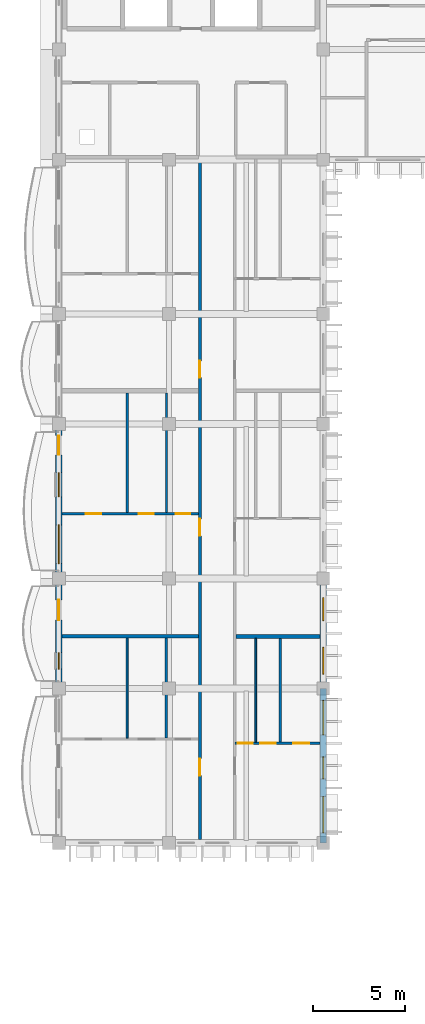
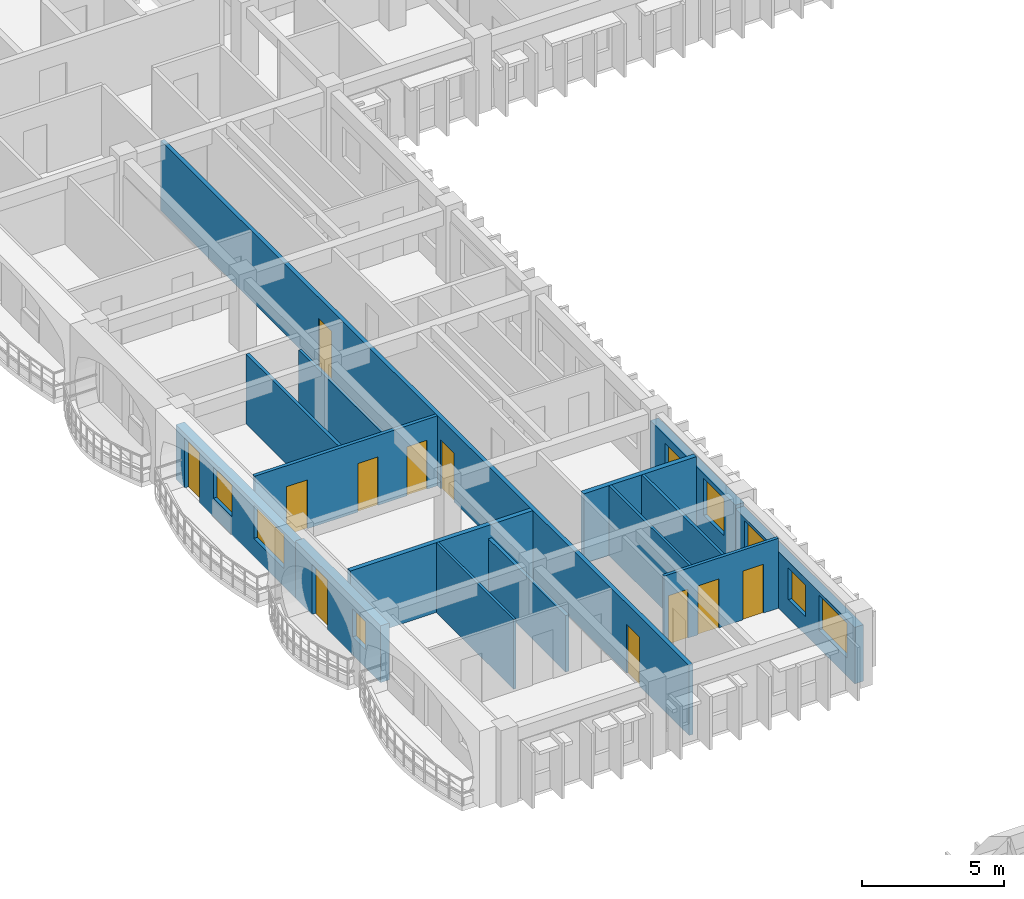
# One storey, part 21 of 70: 15 walls, 11 doors, 8 windows, 19 openings.
"""IFC4 building model written with IfcOpenShell, lengths in metres."""

from ifc_helpers import new_model, si_unit, direction, frame, frame_2d, origin, place, context, subcontext, project, spatial, rectangle, extrude, material, layer, layer_set, type_object, element, fill, save


model = new_model("IFC4")

# Units and contexts
model_context = context("Model", 3, precision=1e-05, world=origin(), true_north=direction((0.0, 1.0)))
body_context = subcontext(model_context, "Body", "Model", "MODEL_VIEW")
ifc_project = project(units=[si_unit("LENGTHUNIT", "METRE"), si_unit("AREAUNIT", "SQUARE_METRE"), si_unit("VOLUMEUNIT", "CUBIC_METRE"), si_unit("PLANEANGLEUNIT", "RADIAN"), si_unit("MASSUNIT", "GRAM", prefix="KILO"), si_unit("THERMODYNAMICTEMPERATUREUNIT", "KELVIN")], contexts=[model_context])

# Site, building, storey
site_placement = place(None, origin())
site = spatial("IfcSite", under=ifc_project, at=site_placement, CompositionType="ELEMENT")
building_placement = place(site_placement, origin())
building = spatial("IfcBuilding", under=site, at=building_placement, Name="Thalorik Housing Commons", CompositionType="ELEMENT")
storey_placement = place(building_placement, frame((0.0, 0.0, 14.699951171875)))
storey = spatial("IfcBuildingStorey", under=building, at=storey_placement, Name="L04", CompositionType="ELEMENT", Elevation=14.699951171875)

# Wall, openings, doors
ifc_material_1 = material(Name="Masonry fire-rated corridor wall", Category="masonry")
ifc_layer_1 = layer(ifc_material_1, 0.1650390625, Name="Masonry fire-rated corridor wall", Category="masonry")
ifc_layer_set_1 = layer_set([ifc_layer_1], Name="Masonry fire-rated corridor wall")
wall_type_1 = type_object("IfcWallType", Name="ARC-WAL-CORR-165", PredefinedType="PARTITIONING", material=ifc_layer_set_1)
wall_1_placement = place(storey_placement, frame((16.080078125, 72.177001953125, 0.0), z_axis=(0.0, 0.0, 1.0), x_axis=(0.0, 1.0, 0.0)))
wall_1 = element("IfcWall", 1, at=wall_1_placement, inside=storey, type_object=wall_type_1, Name="L04 Block A W Corridor Wall 1", PredefinedType="PARTITIONING", context=body_context, shape_type="SweptSolid", body=[
    extrude(rectangle(XDim=37.1630859375, YDim=0.1650390625, at=frame_2d((18.58154296875, 0.0))), origin(), (0.0, 0.0, 1.0), 3.0),
])
opening_1_placement = place(wall_1_placement, frame((3.488525390625, 0.0, 0.0)))
opening_1 = element("IfcOpeningElement", 2, at=opening_1_placement, cuts=wall_1, Name="Opening ID-0591", PredefinedType="OPENING", context=body_context, shape_type="SweptSolid", body=[
    extrude(rectangle(XDim=0.919921875, YDim=2.10009765625, at=frame_2d((0.4599609375, 1.050048828125))), frame((0.0, 0.092529296875, 0.0), z_axis=(0.0, -1.0, 0.0), x_axis=(1.0, 0.0, 0.0)), (0.0, 0.0, 1.0), 0.18505859375),
])
opening_2_placement = place(wall_1_placement, frame((16.54296875, 0.0, 0.0)))
opening_2 = element("IfcOpeningElement", 3, at=opening_2_placement, cuts=wall_1, Name="Opening ID-0592", PredefinedType="OPENING", context=body_context, shape_type="SweptSolid", body=[
    extrude(rectangle(XDim=0.919921875, YDim=2.10009765625, at=frame_2d((0.4599609375, 1.050048828125))), frame((0.0, 0.092529296875, 0.0), z_axis=(0.0, -1.0, 0.0), x_axis=(1.0, 0.0, 0.0)), (0.0, 0.0, 1.0), 0.18505859375),
])
opening_3_placement = place(wall_1_placement, frame((25.15234375, 0.0, 0.0)))
opening_3 = element("IfcOpeningElement", 4, at=opening_3_placement, cuts=wall_1, Name="Opening ID-0593", PredefinedType="OPENING", context=body_context, shape_type="SweptSolid", body=[
    extrude(rectangle(XDim=0.919921875, YDim=2.10009765625, at=frame_2d((0.4599609375, 1.050048828125))), frame((0.0, 0.092529296875, 0.0), z_axis=(0.0, -1.0, 0.0), x_axis=(1.0, 0.0, 0.0)), (0.0, 0.0, 1.0), 0.18505859375),
])
ifc_material_2 = material(Name="Solid core hardwood timber", Category="wood")
door_type_1 = type_object("IfcDoorType", Name="ARC-DR-FD30-920", OperationType="NOTDEFINED", PredefinedType="DOOR", material=ifc_material_2)
door_1_placement = place(opening_1_placement, origin())
door_1 = element("IfcDoor", 5, at=door_1_placement, inside=storey, type_object=door_type_1, Name="L04 Flat AW-1A Entrance Door", OperationType="SINGLE_SWING_RIGHT", OverallHeight=2.10009765625, OverallWidth=0.919921875, PredefinedType="DOOR", context=body_context, shape_type="SweptSolid", body=[
    extrude(rectangle(XDim=0.919921875, YDim=2.10009765625, at=frame_2d((0.4599609375, 1.050048828125))), frame((0.0, 0.02490234375, 0.0), z_axis=(0.0, -1.0, 0.0), x_axis=(1.0, 0.0, 0.0)), (0.0, 0.0, 1.0), 0.050048828125),
])
fill(opening_1, door_1)
door_2_placement = place(opening_2_placement, origin())
door_2 = element("IfcDoor", 6, at=door_2_placement, inside=storey, type_object=door_type_1, Name="L04 Flat AW-2A Entrance Door", OperationType="SINGLE_SWING_LEFT", OverallHeight=2.10009765625, OverallWidth=0.919921875, PredefinedType="DOOR", context=body_context, shape_type="SweptSolid", body=[
    extrude(rectangle(XDim=0.919921875, YDim=2.10009765625, at=frame_2d((0.4599609375, 1.050048828125))), frame((0.0, 0.02490234375, 0.0), z_axis=(0.0, -1.0, 0.0), x_axis=(1.0, 0.0, 0.0)), (0.0, 0.0, 1.0), 0.050048828125),
])
fill(opening_2, door_2)
door_3_placement = place(opening_3_placement, origin())
door_3 = element("IfcDoor", 7, at=door_3_placement, inside=storey, type_object=door_type_1, Name="L04 Flat AW-3A Entrance Door", OperationType="SINGLE_SWING_RIGHT", OverallHeight=2.10009765625, OverallWidth=0.919921875, PredefinedType="DOOR", context=body_context, shape_type="SweptSolid", body=[
    extrude(rectangle(XDim=0.919921875, YDim=2.10009765625, at=frame_2d((0.4599609375, 1.050048828125))), frame((0.0, 0.02490234375, 0.0), z_axis=(0.0, -1.0, 0.0), x_axis=(1.0, 0.0, 0.0)), (0.0, 0.0, 1.0), 0.050048828125),
])
fill(opening_3, door_3)

# Wall, openings, door, windows
ifc_material_3 = material(Name="White precast concrete C40/50", Category="concrete")
ifc_layer_2 = layer(ifc_material_3, 0.35009765625, Name="White precast concrete C40/50", Category="concrete")
ifc_layer_set_2 = layer_set([ifc_layer_2], Name="White precast concrete C40/50")
wall_type_2 = type_object("IfcWallType", Name="ARC-WAL-EXT-350", PredefinedType="STANDARD", material=ifc_layer_set_2)
wall_2_placement = place(storey_placement, frame((8.39990234375, 94.800048828125, 0.0), z_axis=(0.0, 0.0, 1.0), x_axis=(0.0, -1.0, 0.0)))
wall_2 = element("IfcWall", 8, at=wall_2_placement, inside=storey, type_object=wall_type_2, Name="L04 Exterior Wall WAL-EXT-L04-A-0131", PredefinedType="STANDARD", context=body_context, shape_type="SweptSolid", body=[
    extrude(rectangle(XDim=8.400146484375, YDim=0.35009765625, at=frame_2d((4.2001953125, 0.0))), origin(), (0.0, 0.0, 1.0), 2.344970703125),
])
opening_4_placement = place(wall_2_placement, frame((0.6201171875, 0.0, 0.0)))
opening_4 = element("IfcOpeningElement", 9, at=opening_4_placement, cuts=wall_2, Name="Opening ED-0037", PredefinedType="OPENING", context=body_context, shape_type="SweptSolid", body=[
    extrude(rectangle(XDim=1.050048828125, YDim=2.14990234375, at=frame_2d((0.52490234375, 1.074951171875))), frame((0.0, 0.18505859375, 0.0), z_axis=(0.0, -1.0, 0.0), x_axis=(1.0, 0.0, 0.0)), (0.0, 0.0, 1.0), 0.3701171875),
])
opening_5_placement = place(wall_2_placement, frame((2.635009765625, 0.0, 0.780029296875)))
opening_5 = element("IfcOpeningElement", 10, at=opening_5_placement, cuts=wall_2, Name="Opening W-48", PredefinedType="OPENING", context=body_context, shape_type="SweptSolid", body=[
    extrude(rectangle(XDim=1.320068359375, YDim=1.35009765625, at=frame_2d((0.66015625, 0.675048828125))), frame((0.0, 0.18505859375, 0.0), z_axis=(0.0, -1.0, 0.0), x_axis=(1.0, 0.0, 0.0)), (0.0, 0.0, 1.0), 0.3701171875),
])
opening_6_placement = place(wall_2_placement, frame((5.47998046875, 0.0, 0.780029296875)))
opening_6 = element("IfcOpeningElement", 11, at=opening_6_placement, cuts=wall_2, Name="Opening W-64", PredefinedType="OPENING", context=body_context, shape_type="SweptSolid", body=[
    extrude(rectangle(XDim=2.1201171875, YDim=1.43994140625, at=frame_2d((1.06005859375, 0.719970703125))), frame((0.0, 0.18505859375, 0.0), z_axis=(0.0, -1.0, 0.0), x_axis=(1.0, 0.0, 0.0)), (0.0, 0.0, 1.0), 0.3701171875),
])
ifc_material_4 = material(Name="Anodised aluminium and laminated safety glass", Category="aluminium")
door_type_2 = type_object("IfcDoorType", Name="ARC-DR-BAL-1050", OperationType="NOTDEFINED", PredefinedType="DOOR", material=ifc_material_4)
door_4_placement = place(opening_4_placement, frame((1.050048828125, 0.0, 0.0), z_axis=(0.0, 0.0, 1.0), x_axis=(-1.0, 0.0, 0.0)))
door_4 = element("IfcDoor", 12, at=door_4_placement, inside=storey, type_object=door_type_2, Name="L04 Block A Balcony Glazed Door", OperationType="SINGLE_SWING_RIGHT", OverallHeight=2.14990234375, OverallWidth=1.050048828125, PredefinedType="DOOR", context=body_context, shape_type="SweptSolid", body=[
    extrude(rectangle(XDim=1.050048828125, YDim=2.14990234375, at=frame_2d((0.52490234375, 1.074951171875))), frame((0.0, 0.02490234375, 0.0), z_axis=(0.0, -1.0, 0.0), x_axis=(1.0, 0.0, 0.0)), (0.0, 0.0, 1.0), 0.050048828125),
])
fill(opening_4, door_4)
ifc_material_5 = material(Name="Anodised aluminium and solar-control low-E glass", Category="aluminium")
window_type_1 = type_object("IfcWindowType", Name="ARC-WIN-48", PartitioningType="SINGLE_PANEL", PredefinedType="WINDOW", material=ifc_material_5)
window_1_placement = place(opening_5_placement, origin())
window_1 = element("IfcWindow", 13, at=window_1_placement, inside=storey, type_object=window_type_1, Name="L04 Facade Window 232", OverallHeight=1.35009765625, OverallWidth=1.320068359375, PartitioningType="SINGLE_PANEL", PredefinedType="WINDOW", context=body_context, shape_type="SweptSolid", body=[
    extrude(rectangle(XDim=1.320068359375, YDim=1.35009765625, at=frame_2d((0.66015625, 0.675048828125))), frame((0.0, 0.030029296875, 0.0), z_axis=(0.0, -1.0, 0.0), x_axis=(1.0, 0.0, 0.0)), (0.0, 0.0, 1.0), 0.06005859375),
])
fill(opening_5, window_1)
window_type_2 = type_object("IfcWindowType", Name="ARC-WIN-64", PartitioningType="DOUBLE_PANEL_VERTICAL", PredefinedType="WINDOW", material=ifc_material_5)
window_2_placement = place(opening_6_placement, origin())
window_2 = element("IfcWindow", 14, at=window_2_placement, inside=storey, type_object=window_type_2, Name="L04 Facade Window 233", OverallHeight=1.43994140625, OverallWidth=2.1201171875, PartitioningType="DOUBLE_PANEL_VERTICAL", PredefinedType="WINDOW", context=body_context, shape_type="SweptSolid", body=[
    extrude(rectangle(XDim=2.1201171875, YDim=1.43994140625, at=frame_2d((1.06005859375, 0.719970703125))), frame((0.0, 0.030029296875, 0.0), z_axis=(0.0, -1.0, 0.0), x_axis=(1.0, 0.0, 0.0)), (0.0, 0.0, 1.0), 0.06005859375),
])
fill(opening_6, window_2)

# Wall, openings, door, window
wall_3_placement = place(storey_placement, frame((8.39990234375, 86.39990234375, 0.0), z_axis=(0.0, 0.0, 1.0), x_axis=(0.0, -1.0, 0.0)))
wall_3 = element("IfcWall", 15, at=wall_3_placement, inside=storey, type_object=wall_type_2, Name="L04 Exterior Wall WAL-EXT-L04-A-0132", PredefinedType="STANDARD", context=body_context, shape_type="SweptSolid", body=[
    extrude(rectangle(XDim=6.0, YDim=0.35009765625, at=frame_2d((3.0, 0.0))), origin(), (0.0, 0.0, 1.0), 2.445068359375),
])
opening_7_placement = place(wall_3_placement, frame((1.175048828125, 0.0, 0.0)))
opening_7 = element("IfcOpeningElement", 16, at=opening_7_placement, cuts=wall_3, Name="Opening ED-0038", PredefinedType="OPENING", context=body_context, shape_type="SweptSolid", body=[
    extrude(rectangle(XDim=1.10009765625, YDim=2.14990234375, at=frame_2d((0.550048828125, 1.074951171875))), frame((0.0, 0.18505859375, 0.0), z_axis=(0.0, -1.0, 0.0), x_axis=(1.0, 0.0, 0.0)), (0.0, 0.0, 1.0), 0.3701171875),
])
opening_8_placement = place(wall_3_placement, frame((4.034912109375, 0.0, 0.780029296875)))
opening_8 = element("IfcOpeningElement", 17, at=opening_8_placement, cuts=wall_3, Name="Opening W-01", PredefinedType="OPENING", context=body_context, shape_type="SweptSolid", body=[
    extrude(rectangle(XDim=0.89990234375, YDim=1.199951171875, at=frame_2d((0.449951171875, 0.60009765625))), frame((0.0, 0.18505859375, 0.0), z_axis=(0.0, -1.0, 0.0), x_axis=(1.0, 0.0, 0.0)), (0.0, 0.0, 1.0), 0.3701171875),
])
door_type_3 = type_object("IfcDoorType", Name="ARC-DR-BAL-1100", OperationType="NOTDEFINED", PredefinedType="DOOR", material=ifc_material_4)
door_5_placement = place(opening_7_placement, frame((1.10009765625, 0.0, 0.0), z_axis=(0.0, 0.0, 1.0), x_axis=(-1.0, 0.0, 0.0)))
door_5 = element("IfcDoor", 18, at=door_5_placement, inside=storey, type_object=door_type_3, Name="L04 Block A Balcony Glazed Door", OperationType="SINGLE_SWING_LEFT", OverallHeight=2.14990234375, OverallWidth=1.10009765625, PredefinedType="DOOR", context=body_context, shape_type="SweptSolid", body=[
    extrude(rectangle(XDim=1.10009765625, YDim=2.14990234375, at=frame_2d((0.550048828125, 1.074951171875))), frame((0.0, 0.02490234375, 0.0), z_axis=(0.0, -1.0, 0.0), x_axis=(1.0, 0.0, 0.0)), (0.0, 0.0, 1.0), 0.050048828125),
])
fill(opening_7, door_5)
window_type_3 = type_object("IfcWindowType", Name="ARC-WIN-01", PartitioningType="SINGLE_PANEL", PredefinedType="WINDOW", material=ifc_material_5)
window_3_placement = place(opening_8_placement, origin())
window_3 = element("IfcWindow", 19, at=window_3_placement, inside=storey, type_object=window_type_3, Name="L04 Facade Window 234", OverallHeight=1.199951171875, OverallWidth=0.89990234375, PartitioningType="SINGLE_PANEL", PredefinedType="WINDOW", context=body_context, shape_type="SweptSolid", body=[
    extrude(rectangle(XDim=0.89990234375, YDim=1.199951171875, at=frame_2d((0.449951171875, 0.60009765625))), frame((0.0, 0.030029296875, 0.0), z_axis=(0.0, -1.0, 0.0), x_axis=(1.0, 0.0, 0.0)), (0.0, 0.0, 1.0), 0.06005859375),
])
fill(opening_8, window_3)

# Wall, openings, windows
wall_4_placement = place(storey_placement, frame((22.800048828125, 72.0, 0.0), z_axis=(0.0, 0.0, 1.0), x_axis=(0.0, 1.0, 0.0)))
wall_4 = element("IfcWall", 20, at=wall_4_placement, inside=storey, type_object=wall_type_2, Name="L04 Exterior Wall WAL-EXT-L04-A-0136", PredefinedType="STANDARD", context=body_context, shape_type="SweptSolid", body=[
    extrude(rectangle(XDim=8.39990234375, YDim=0.35009765625, at=frame_2d((4.199951171875, 0.0))), origin(), (0.0, 0.0, 1.0), 2.425048828125),
])
opening_9_placement = place(wall_4_placement, frame((0.544189453125, 0.0, 0.780029296875)))
opening_9 = element("IfcOpeningElement", 21, at=opening_9_placement, cuts=wall_4, Name="Opening W-61", PredefinedType="OPENING", context=body_context, shape_type="SweptSolid", body=[
    extrude(rectangle(XDim=1.97998046875, YDim=1.5, at=frame_2d((0.989990234375, 0.75))), frame((0.0, 0.18505859375, 0.0), z_axis=(0.0, -1.0, 0.0), x_axis=(1.0, 0.0, 0.0)), (0.0, 0.0, 1.0), 0.3701171875),
])
opening_10_placement = place(wall_4_placement, frame((3.482421875, 0.0, 0.780029296875)))
opening_10 = element("IfcOpeningElement", 22, at=opening_10_placement, cuts=wall_4, Name="Opening W-04", PredefinedType="OPENING", context=body_context, shape_type="SweptSolid", body=[
    extrude(rectangle(XDim=1.199951171875, YDim=1.35009765625, at=frame_2d((0.60009765625, 0.675048828125))), frame((0.0, 0.18505859375, 0.0), z_axis=(0.0, -1.0, 0.0), x_axis=(1.0, 0.0, 0.0)), (0.0, 0.0, 1.0), 0.3701171875),
])
opening_11_placement = place(wall_4_placement, frame((5.878173828125, 0.0, 0.780029296875)))
opening_11 = element("IfcOpeningElement", 23, at=opening_11_placement, cuts=wall_4, Name="Opening W-59", PredefinedType="OPENING", context=body_context, shape_type="SweptSolid", body=[
    extrude(rectangle(XDim=1.8798828125, YDim=1.52001953125, at=frame_2d((0.93994140625, 0.760009765625))), frame((0.0, 0.18505859375, 0.0), z_axis=(0.0, -1.0, 0.0), x_axis=(1.0, 0.0, 0.0)), (0.0, 0.0, 1.0), 0.3701171875),
])
window_type_4 = type_object("IfcWindowType", Name="ARC-WIN-04", PartitioningType="SINGLE_PANEL", PredefinedType="WINDOW", material=ifc_material_5)
window_4_placement = place(opening_10_placement, origin())
window_4 = element("IfcWindow", 24, at=window_4_placement, inside=storey, type_object=window_type_4, Name="L04 Facade Window 243", OverallHeight=1.35009765625, OverallWidth=1.199951171875, PartitioningType="SINGLE_PANEL", PredefinedType="WINDOW", context=body_context, shape_type="SweptSolid", body=[
    extrude(rectangle(XDim=1.199951171875, YDim=1.35009765625, at=frame_2d((0.60009765625, 0.675048828125))), frame((0.0, 0.030029296875, 0.0), z_axis=(0.0, -1.0, 0.0), x_axis=(1.0, 0.0, 0.0)), (0.0, 0.0, 1.0), 0.06005859375),
])
fill(opening_10, window_4)
window_type_5 = type_object("IfcWindowType", Name="ARC-WIN-59", PartitioningType="DOUBLE_PANEL_VERTICAL", PredefinedType="WINDOW", material=ifc_material_5)
window_5_placement = place(opening_11_placement, origin())
window_5 = element("IfcWindow", 25, at=window_5_placement, inside=storey, type_object=window_type_5, Name="L04 Facade Window 244", OverallHeight=1.52001953125, OverallWidth=1.8798828125, PartitioningType="DOUBLE_PANEL_VERTICAL", PredefinedType="WINDOW", context=body_context, shape_type="SweptSolid", body=[
    extrude(rectangle(XDim=1.8798828125, YDim=1.52001953125, at=frame_2d((0.93994140625, 0.760009765625))), frame((0.0, 0.030029296875, 0.0), z_axis=(0.0, -1.0, 0.0), x_axis=(1.0, 0.0, 0.0)), (0.0, 0.0, 1.0), 0.06005859375),
])
fill(opening_11, window_5)
window_type_6 = type_object("IfcWindowType", Name="ARC-WIN-61", PartitioningType="DOUBLE_PANEL_VERTICAL", PredefinedType="WINDOW", material=ifc_material_5)
window_6_placement = place(opening_9_placement, origin())
window_6 = element("IfcWindow", 26, at=window_6_placement, inside=storey, type_object=window_type_6, Name="L04 Facade Window 242", OverallHeight=1.5, OverallWidth=1.97998046875, PartitioningType="DOUBLE_PANEL_VERTICAL", PredefinedType="WINDOW", context=body_context, shape_type="SweptSolid", body=[
    extrude(rectangle(XDim=1.97998046875, YDim=1.5, at=frame_2d((0.989990234375, 0.75))), frame((0.0, 0.030029296875, 0.0), z_axis=(0.0, -1.0, 0.0), x_axis=(1.0, 0.0, 0.0)), (0.0, 0.0, 1.0), 0.06005859375),
])
fill(opening_9, window_6)

wall_5_placement = place(storey_placement, frame((22.800048828125, 80.39990234375, 0.0), z_axis=(0.0, 0.0, 1.0), x_axis=(0.0, 1.0, 0.0)))
wall_5 = element("IfcWall", 27, at=wall_5_placement, inside=storey, type_object=wall_type_2, Name="L04 Exterior Wall WAL-EXT-L04-A-0137", PredefinedType="STANDARD", context=body_context, shape_type="SweptSolid", body=[
    extrude(rectangle(XDim=6.0, YDim=0.35009765625, at=frame_2d((3.0, 0.0))), origin(), (0.0, 0.0, 1.0), 2.574951171875),
])
opening_12_placement = place(wall_5_placement, frame((0.7900390625, 0.0, 0.780029296875)))
opening_12 = element("IfcOpeningElement", 28, at=opening_12_placement, cuts=wall_5, Name="Opening W-09", PredefinedType="OPENING", context=body_context, shape_type="SweptSolid", body=[
    extrude(rectangle(XDim=1.449951171875, YDim=1.60009765625, at=frame_2d((0.72509765625, 0.800048828125))), frame((0.0, 0.18505859375, 0.0), z_axis=(0.0, -1.0, 0.0), x_axis=(1.0, 0.0, 0.0)), (0.0, 0.0, 1.0), 0.3701171875),
])
opening_13_placement = place(wall_5_placement, frame((3.699951171875, 0.0, 0.780029296875)))
opening_13 = element("IfcOpeningElement", 29, at=opening_13_placement, cuts=wall_5, Name="Opening W-47", PredefinedType="OPENING", context=body_context, shape_type="SweptSolid", body=[
    extrude(rectangle(XDim=1.25, YDim=1.449951171875, at=frame_2d((0.625, 0.72509765625))), frame((0.0, 0.18505859375, 0.0), z_axis=(0.0, -1.0, 0.0), x_axis=(1.0, 0.0, 0.0)), (0.0, 0.0, 1.0), 0.3701171875),
])
window_type_7 = type_object("IfcWindowType", Name="ARC-WIN-09", PartitioningType="SINGLE_PANEL", PredefinedType="WINDOW", material=ifc_material_5)
window_7_placement = place(opening_12_placement, origin())
window_7 = element("IfcWindow", 30, at=window_7_placement, inside=storey, type_object=window_type_7, Name="L04 Facade Window 245", OverallHeight=1.60009765625, OverallWidth=1.449951171875, PartitioningType="SINGLE_PANEL", PredefinedType="WINDOW", context=body_context, shape_type="SweptSolid", body=[
    extrude(rectangle(XDim=1.449951171875, YDim=1.60009765625, at=frame_2d((0.72509765625, 0.800048828125))), frame((0.0, 0.030029296875, 0.0), z_axis=(0.0, -1.0, 0.0), x_axis=(1.0, 0.0, 0.0)), (0.0, 0.0, 1.0), 0.06005859375),
])
fill(opening_12, window_7)
window_type_8 = type_object("IfcWindowType", Name="ARC-WIN-47", PartitioningType="SINGLE_PANEL", PredefinedType="WINDOW", material=ifc_material_5)
window_8_placement = place(opening_13_placement, origin())
window_8 = element("IfcWindow", 31, at=window_8_placement, inside=storey, type_object=window_type_8, Name="L04 Facade Window 246", OverallHeight=1.449951171875, OverallWidth=1.25, PartitioningType="SINGLE_PANEL", PredefinedType="WINDOW", context=body_context, shape_type="SweptSolid", body=[
    extrude(rectangle(XDim=1.25, YDim=1.449951171875, at=frame_2d((0.625, 0.72509765625))), frame((0.0, 0.030029296875, 0.0), z_axis=(0.0, -1.0, 0.0), x_axis=(1.0, 0.0, 0.0)), (0.0, 0.0, 1.0), 0.06005859375),
])
fill(opening_13, window_8)

# Walls
ifc_material_6 = material(Name="Gypsum light stud partition", Category="masonry")
ifc_layer_3 = layer(ifc_material_6, 0.10009765625, Name="Gypsum light stud partition", Category="masonry")
ifc_layer_set_3 = layer_set([ifc_layer_3], Name="Gypsum light stud partition")
wall_type_3 = type_object("IfcWallType", Name="ARC-WAL-PART-100", PredefinedType="PARTITIONING", material=ifc_layer_set_3)
wall_6_placement = place(storey_placement, frame((12.11767578125, 77.70947265625, 0.0), z_axis=(0.0, 0.0, 1.0), x_axis=(0.0, 1.0, 0.0)))
element("IfcWall", 32, at=wall_6_placement, inside=storey, type_object=wall_type_3, Name="L04 Unit 1 Bedroom Partition", PredefinedType="PARTITIONING", context=body_context, shape_type="SweptSolid", body=[
    extrude(rectangle(XDim=5.43603515625, YDim=0.10009765625, at=frame_2d((2.718017578125, 0.0))), origin(), (0.0, 0.0, 1.0), 3.0),
])
wall_7_placement = place(storey_placement, frame((19.122314453125, 77.490966796875, 0.0), z_axis=(0.0, 0.0, 1.0), x_axis=(0.0, 1.0, 0.0)))
element("IfcWall", 33, at=wall_7_placement, inside=storey, type_object=wall_type_3, Name="L04 Unit 1B Wet Wall", PredefinedType="PARTITIONING", context=body_context, shape_type="SweptSolid", body=[
    extrude(rectangle(XDim=5.64697265625, YDim=0.10009765625, at=frame_2d((2.823486328125, 0.0))), origin(), (0.0, 0.0, 1.0), 3.0),
])
ifc_material_7 = material(Name="Gypsum moisture-resistant partition", Category="masonry")
ifc_layer_4 = layer(ifc_material_7, 0.114990234375, Name="Gypsum moisture-resistant partition", Category="masonry")
ifc_layer_set_4 = layer_set([ifc_layer_4], Name="Gypsum moisture-resistant partition")
wall_type_4 = type_object("IfcWallType", Name="ARC-WAL-PART-115", PredefinedType="PARTITIONING", material=ifc_layer_set_4)
wall_8_placement = place(storey_placement, frame((20.455078125, 77.490966796875, 0.0), z_axis=(0.0, 0.0, 1.0), x_axis=(0.0, 1.0, 0.0)))
element("IfcWall", 34, at=wall_8_placement, inside=storey, type_object=wall_type_4, Name="L04 Unit 1B Bedroom Partition", PredefinedType="PARTITIONING", context=body_context, shape_type="SweptSolid", body=[
    extrude(rectangle(XDim=5.64697265625, YDim=0.114990234375, at=frame_2d((2.823486328125, 0.0))), origin(), (0.0, 0.0, 1.0), 3.0),
])
wall_9_placement = place(storey_placement, frame((14.251220703125, 90.001953125, 0.0), z_axis=(0.0, 0.0, 1.0), x_axis=(0.0, 1.0, 0.0)))
element("IfcWall", 35, at=wall_9_placement, inside=storey, type_object=wall_type_4, Name="L04 Unit 2 Wet Wall", PredefinedType="PARTITIONING", context=body_context, shape_type="SweptSolid", body=[
    extrude(rectangle(XDim=6.506103515625, YDim=0.114990234375, at=frame_2d((3.2529296875, 0.0))), origin(), (0.0, 0.0, 1.0), 2.425048828125),
])

# Wall, openings, doors
ifc_material_8 = material(Name="Gypsum acoustic stud partition", Category="masonry")
ifc_layer_5 = layer(ifc_material_8, 0.125, Name="Gypsum acoustic stud partition", Category="masonry")
ifc_layer_set_5 = layer_set([ifc_layer_5], Name="Gypsum acoustic stud partition")
wall_type_5 = type_object("IfcWallType", Name="ARC-WAL-PART-125", PredefinedType="PARTITIONING", material=ifc_layer_set_5)
wall_10_placement = place(storey_placement, frame((17.97998046875, 77.426513671875, 0.0), z_axis=(0.0, 0.0, 1.0), x_axis=(1.0, 0.0, 0.0)))
wall_10 = element("IfcWall", 36, at=wall_10_placement, inside=storey, type_object=wall_type_5, Name="L04 Unit 1B Spine Partition", PredefinedType="PARTITIONING", context=body_context, shape_type="SweptSolid", body=[
    extrude(rectangle(XDim=4.64306640625, YDim=0.125, at=frame_2d((2.321533203125, 0.0))), origin(), (0.0, 0.0, 1.0), 3.0),
])
opening_14_placement = place(wall_10_placement, frame((0.171142578125, 0.0, 0.0)))
opening_14 = element("IfcOpeningElement", 37, at=opening_14_placement, cuts=wall_10, Name="Opening ID-0576", PredefinedType="OPENING", context=body_context, shape_type="SweptSolid", body=[
    extrude(rectangle(XDim=0.800048828125, YDim=2.10009765625, at=frame_2d((0.39990234375, 1.050048828125))), frame((0.0, 0.072509765625, 0.0), z_axis=(0.0, -1.0, 0.0), x_axis=(1.0, 0.0, 0.0)), (0.0, 0.0, 1.0), 0.14501953125),
])
opening_15_placement = place(wall_10_placement, frame((1.3837890625, 0.0, 0.0)))
opening_15 = element("IfcOpeningElement", 38, at=opening_15_placement, cuts=wall_10, Name="Opening ID-0577", PredefinedType="OPENING", context=body_context, shape_type="SweptSolid", body=[
    extrude(rectangle(XDim=0.85009765625, YDim=2.10009765625, at=frame_2d((0.425048828125, 1.050048828125))), frame((0.0, 0.072509765625, 0.0), z_axis=(0.0, -1.0, 0.0), x_axis=(1.0, 0.0, 0.0)), (0.0, 0.0, 1.0), 0.14501953125),
])
opening_16_placement = place(wall_10_placement, frame((3.192626953125, 0.0, 0.0)))
opening_16 = element("IfcOpeningElement", 39, at=opening_16_placement, cuts=wall_10, Name="Opening ID-0578", PredefinedType="OPENING", context=body_context, shape_type="SweptSolid", body=[
    extrude(rectangle(XDim=0.85009765625, YDim=2.10009765625, at=frame_2d((0.425048828125, 1.050048828125))), frame((0.0, 0.072509765625, 0.0), z_axis=(0.0, -1.0, 0.0), x_axis=(1.0, 0.0, 0.0)), (0.0, 0.0, 1.0), 0.14501953125),
])
ifc_material_9 = material(Name="Moisture-resistant timber", Category="wood")
door_type_4 = type_object("IfcDoorType", Name="ARC-DR-INT-800", OperationType="NOTDEFINED", PredefinedType="DOOR", material=ifc_material_9)
door_6_placement = place(opening_14_placement, origin())
door_6 = element("IfcDoor", 40, at=door_6_placement, inside=storey, type_object=door_type_4, Name="L04 Accessible Bathroom Door", OperationType="SINGLE_SWING_LEFT", OverallHeight=2.10009765625, OverallWidth=0.800048828125, PredefinedType="DOOR", context=body_context, shape_type="SweptSolid", body=[
    extrude(rectangle(XDim=0.800048828125, YDim=2.10009765625, at=frame_2d((0.39990234375, 1.050048828125))), frame((0.0, 0.02490234375, 0.0), z_axis=(0.0, -1.0, 0.0), x_axis=(1.0, 0.0, 0.0)), (0.0, 0.0, 1.0), 0.050048828125),
])
fill(opening_14, door_6)
ifc_material_10 = material(Name="Engineered oak timber", Category="wood")
door_type_5 = type_object("IfcDoorType", Name="ARC-DR-INT-850", OperationType="NOTDEFINED", PredefinedType="DOOR", material=ifc_material_10)
door_7_placement = place(opening_15_placement, origin())
door_7 = element("IfcDoor", 41, at=door_7_placement, inside=storey, type_object=door_type_5, Name="L04 Eat-In Kitchen Door", OperationType="SINGLE_SWING_RIGHT", OverallHeight=2.10009765625, OverallWidth=0.85009765625, PredefinedType="DOOR", context=body_context, shape_type="SweptSolid", body=[
    extrude(rectangle(XDim=0.85009765625, YDim=2.10009765625, at=frame_2d((0.425048828125, 1.050048828125))), frame((0.0, 0.02490234375, 0.0), z_axis=(0.0, -1.0, 0.0), x_axis=(1.0, 0.0, 0.0)), (0.0, 0.0, 1.0), 0.050048828125),
])
fill(opening_15, door_7)
door_8_placement = place(opening_16_placement, origin())
door_8 = element("IfcDoor", 42, at=door_8_placement, inside=storey, type_object=door_type_5, Name="L04 Double Bedroom Door", OperationType="SINGLE_SWING_LEFT", OverallHeight=2.10009765625, OverallWidth=0.85009765625, PredefinedType="DOOR", context=body_context, shape_type="SweptSolid", body=[
    extrude(rectangle(XDim=0.85009765625, YDim=2.10009765625, at=frame_2d((0.425048828125, 1.050048828125))), frame((0.0, 0.02490234375, 0.0), z_axis=(0.0, -1.0, 0.0), x_axis=(1.0, 0.0, 0.0)), (0.0, 0.0, 1.0), 0.050048828125),
])
fill(opening_16, door_8)

# Walls
wall_11_placement = place(storey_placement, frame((12.11767578125, 90.001953125, 0.0), z_axis=(0.0, 0.0, 1.0), x_axis=(0.0, 1.0, 0.0)))
element("IfcWall", 43, at=wall_11_placement, inside=storey, type_object=wall_type_5, Name="L04 Unit 2 Bedroom Partition", PredefinedType="PARTITIONING", context=body_context, shape_type="SweptSolid", body=[
    extrude(rectangle(XDim=6.506103515625, YDim=0.125, at=frame_2d((3.2529296875, 0.0))), origin(), (0.0, 0.0, 1.0), 3.0),
])
ifc_material_11 = material(Name="Ceramic masonry partition wall", Category="masonry")
ifc_layer_6 = layer(ifc_material_11, 0.139892578125, Name="Ceramic masonry partition wall", Category="masonry")
ifc_layer_set_6 = layer_set([ifc_layer_6], Name="Ceramic masonry partition wall")
wall_type_6 = type_object("IfcWallType", Name="ARC-WAL-PART-140", PredefinedType="PARTITIONING", material=ifc_layer_set_6)
wall_12_placement = place(storey_placement, frame((14.251220703125, 77.70947265625, 0.0), z_axis=(0.0, 0.0, 1.0), x_axis=(0.0, 1.0, 0.0)))
element("IfcWall", 44, at=wall_12_placement, inside=storey, type_object=wall_type_6, Name="L04 Unit 1 Wet Wall", PredefinedType="PARTITIONING", context=body_context, shape_type="SweptSolid", body=[
    extrude(rectangle(XDim=5.43603515625, YDim=0.139892578125, at=frame_2d((2.718017578125, 0.0))), origin(), (0.0, 0.0, 1.0), 2.425048828125),
])

# Wall, openings, doors
wall_13_placement = place(storey_placement, frame((8.576904296875, 89.929931640625, 0.0), z_axis=(0.0, 0.0, 1.0), x_axis=(1.0, 0.0, 0.0)))
wall_13 = element("IfcWall", 45, at=wall_13_placement, inside=storey, type_object=wall_type_6, Name="L04 Unit 2 Spine Partition", PredefinedType="PARTITIONING", context=body_context, shape_type="SweptSolid", body=[
    extrude(rectangle(XDim=7.418701171875, YDim=0.139892578125, at=frame_2d((3.70947265625, 0.0))), origin(), (0.0, 0.0, 1.0), 3.0),
])
opening_17_placement = place(wall_13_placement, frame((1.286865234375, 0.0, 0.0)))
opening_17 = element("IfcOpeningElement", 46, at=opening_17_placement, cuts=wall_13, Name="Opening ID-0579", PredefinedType="OPENING", context=body_context, shape_type="SweptSolid", body=[
    extrude(rectangle(XDim=0.85009765625, YDim=2.10009765625, at=frame_2d((0.425048828125, 1.050048828125))), frame((0.0, 0.080078125, 0.0), z_axis=(0.0, -1.0, 0.0), x_axis=(1.0, 0.0, 0.0)), (0.0, 0.0, 1.0), 0.159912109375),
])
opening_18_placement = place(wall_13_placement, frame((4.182373046875, 0.0, 0.0)))
opening_18 = element("IfcOpeningElement", 47, at=opening_18_placement, cuts=wall_13, Name="Opening ID-0580", PredefinedType="OPENING", context=body_context, shape_type="SweptSolid", body=[
    extrude(rectangle(XDim=0.820068359375, YDim=2.080078125, at=frame_2d((0.41015625, 1.0400390625))), frame((0.0, 0.080078125, 0.0), z_axis=(0.0, -1.0, 0.0), x_axis=(1.0, 0.0, 0.0)), (0.0, 0.0, 1.0), 0.159912109375),
])
opening_19_placement = place(wall_13_placement, frame((6.188720703125, 0.0, 0.0)))
opening_19 = element("IfcOpeningElement", 48, at=opening_19_placement, cuts=wall_13, Name="Opening ID-0581", PredefinedType="OPENING", context=body_context, shape_type="SweptSolid", body=[
    extrude(rectangle(XDim=0.800048828125, YDim=2.10009765625, at=frame_2d((0.39990234375, 1.050048828125))), frame((0.0, 0.080078125, 0.0), z_axis=(0.0, -1.0, 0.0), x_axis=(1.0, 0.0, 0.0)), (0.0, 0.0, 1.0), 0.159912109375),
])
door_9_placement = place(opening_19_placement, origin())
door_9 = element("IfcDoor", 49, at=door_9_placement, inside=storey, type_object=door_type_4, Name="L04 Flat Bathroom Door", OperationType="SINGLE_SWING_RIGHT", OverallHeight=2.10009765625, OverallWidth=0.800048828125, PredefinedType="DOOR", context=body_context, shape_type="SweptSolid", body=[
    extrude(rectangle(XDim=0.800048828125, YDim=2.10009765625, at=frame_2d((0.39990234375, 1.050048828125))), frame((0.0, 0.02490234375, 0.0), z_axis=(0.0, -1.0, 0.0), x_axis=(1.0, 0.0, 0.0)), (0.0, 0.0, 1.0), 0.050048828125),
])
fill(opening_19, door_9)
door_type_6 = type_object("IfcDoorType", Name="ARC-DR-INT-820", OperationType="NOTDEFINED", PredefinedType="DOOR", material=ifc_material_10)
door_10_placement = place(opening_18_placement, origin())
door_10 = element("IfcDoor", 50, at=door_10_placement, inside=storey, type_object=door_type_6, Name="L04 Eat-In Kitchen Door", OperationType="SINGLE_SWING_LEFT", OverallHeight=2.080078125, OverallWidth=0.820068359375, PredefinedType="DOOR", context=body_context, shape_type="SweptSolid", body=[
    extrude(rectangle(XDim=0.820068359375, YDim=2.080078125, at=frame_2d((0.41015625, 1.0400390625))), frame((0.0, 0.02490234375, 0.0), z_axis=(0.0, -1.0, 0.0), x_axis=(1.0, 0.0, 0.0)), (0.0, 0.0, 1.0), 0.050048828125),
])
fill(opening_18, door_10)
door_11_placement = place(opening_17_placement, origin())
door_11 = element("IfcDoor", 51, at=door_11_placement, inside=storey, type_object=door_type_5, Name="L04 Master Bedroom Door", OperationType="SINGLE_SWING_RIGHT", OverallHeight=2.10009765625, OverallWidth=0.85009765625, PredefinedType="DOOR", context=body_context, shape_type="SweptSolid", body=[
    extrude(rectangle(XDim=0.85009765625, YDim=2.10009765625, at=frame_2d((0.425048828125, 1.050048828125))), frame((0.0, 0.02490234375, 0.0), z_axis=(0.0, -1.0, 0.0), x_axis=(1.0, 0.0, 0.0)), (0.0, 0.0, 1.0), 0.050048828125),
])
fill(opening_17, door_11)

# Walls
ifc_material_12 = material(Name="Masonry acoustic blockwork wall", Category="masonry")
ifc_layer_7 = layer(ifc_material_12, 0.18505859375, Name="Masonry acoustic blockwork wall", Category="masonry")
ifc_layer_set_7 = layer_set([ifc_layer_7], Name="Masonry acoustic blockwork wall")
wall_type_7 = type_object("IfcWallType", Name="ARC-WAL-PARTY-185", PredefinedType="PARTITIONING", material=ifc_layer_set_7)
wall_14_placement = place(storey_placement, frame((8.576904296875, 83.239990234375, 0.0), z_axis=(0.0, 0.0, 1.0), x_axis=(1.0, 0.0, 0.0)))
element("IfcWall", 52, at=wall_14_placement, inside=storey, type_object=wall_type_7, Name="L04 Inter-Tenancy Wall 1A", PredefinedType="PARTITIONING", context=body_context, shape_type="SweptSolid", body=[
    extrude(rectangle(XDim=7.418701171875, YDim=0.18505859375, at=frame_2d((3.70947265625, 0.0))), origin(), (0.0, 0.0, 1.0), 3.0),
])
ifc_material_13 = material(Name="Precast concrete C40/50 acoustic wall", Category="concrete")
ifc_layer_8 = layer(ifc_material_13, 0.199951171875, Name="Precast concrete C40/50 acoustic wall", Category="concrete")
ifc_layer_set_8 = layer_set([ifc_layer_8], Name="Precast concrete C40/50 acoustic wall")
wall_type_8 = type_object("IfcWallType", Name="ARC-WAL-PARTY-200", PredefinedType="PARTITIONING", material=ifc_layer_set_8)
wall_15_placement = place(storey_placement, frame((18.056884765625, 83.239990234375, 0.0), z_axis=(0.0, 0.0, 1.0), x_axis=(1.0, 0.0, 0.0)))
element("IfcWall", 53, at=wall_15_placement, inside=storey, type_object=wall_type_8, Name="L04 Inter-Tenancy Wall 1B", PredefinedType="PARTITIONING", context=body_context, shape_type="SweptSolid", body=[
    extrude(rectangle(XDim=4.566162109375, YDim=0.199951171875, at=frame_2d((2.283203125, 0.0))), origin(), (0.0, 0.0, 1.0), 3.0),
])

save(model, "model.ifc")
